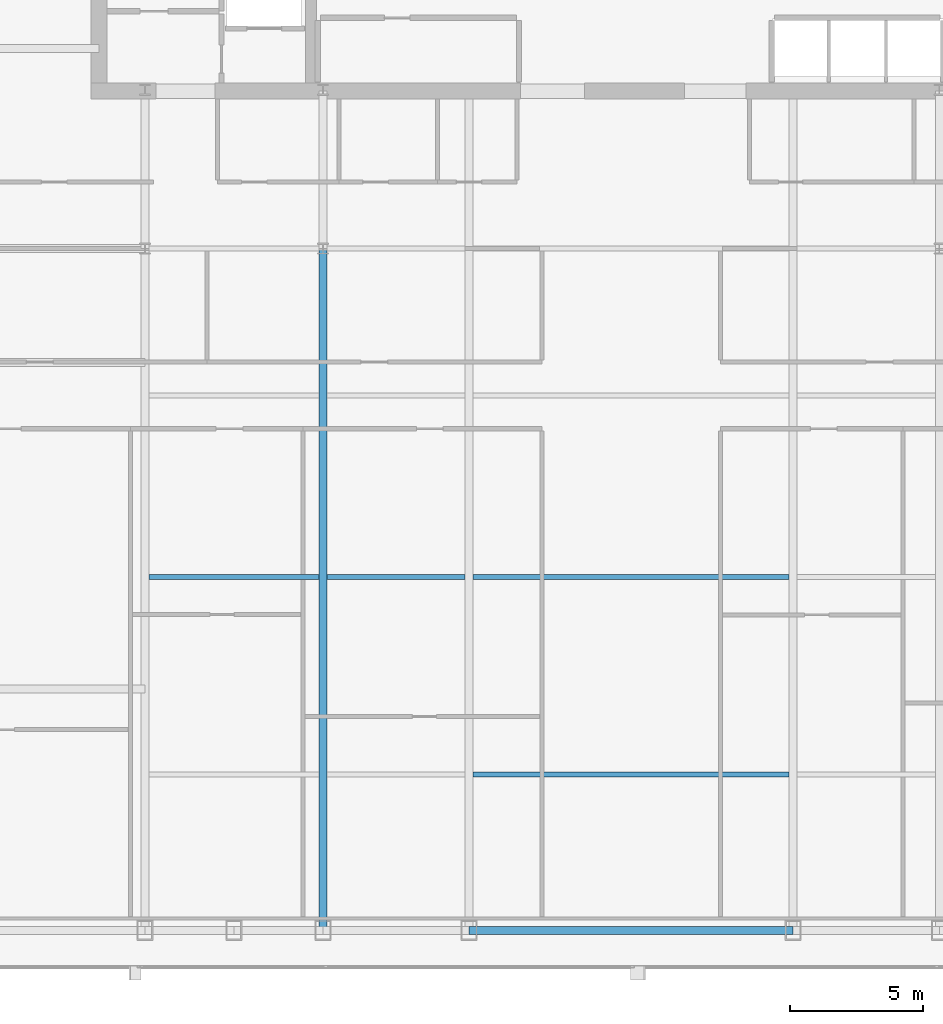
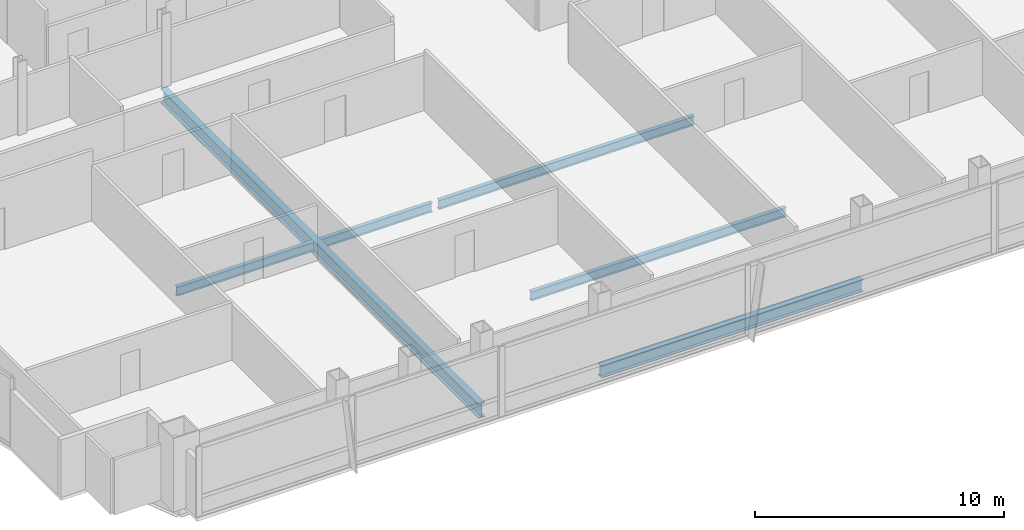
# One storey, part 9 of 30: 6 beams.
"""IFC4 building model written with IfcOpenShell, lengths in metres."""

import ifcopenshell
import ifcopenshell.guid

model = None  # the IFC model being written
_history = None  # IfcOwnerHistory: only IFC2X3 demands one
_inside = {}  # id of a spatial element -> (the spatial element, [elements in it])
_under = {}  # id of a project, library or spatial element -> (it, [spatial elements below it])
_declared = {}  # id of a project -> (the project, [libraries it declares])
_typed = {}  # id of a type object -> (the type object, [elements of that type])
_made_of = {}  # id of a material, layer set ... -> (it, [elements and type objects made of it])


def new_model(schema):
    """Start an empty IFC model of exactly this schema.

    Asked for "IFC4X3", IfcOpenShell would pick the latest addendum, in which some entities
    have other attributes; the version numbers below select the first issue.
    IFC2X3 requires an IfcOwnerHistory on every rooted entity: one is made here for all.
    """
    global model, _history
    if schema == "IFC4X3":
        model = ifcopenshell.file(schema_version=(4, 3, 0, 0))
    else:
        model = ifcopenshell.file(schema=schema)
    _inside.clear()
    _under.clear()
    _declared.clear()
    _typed.clear()
    _made_of.clear()
    _history = None
    if model.schema == "IFC2X3":
        org = make("IfcOrganization", Name="unknown")
        user = make(
            "IfcPersonAndOrganization",
            ThePerson=make("IfcPerson", FamilyName="unknown"),
            TheOrganization=org,
        )
        app = make(
            "IfcApplication",
            ApplicationDeveloper=org,
            Version="unknown",
            ApplicationFullName="unknown",
            ApplicationIdentifier="unknown",
        )
        _history = make(
            "IfcOwnerHistory",
            OwningUser=user,
            OwningApplication=app,
            ChangeAction="ADDED",
            CreationDate=0,
        )
    return model


def make(cls, **values):
    """One entity of the class cls with the attributes given. An attribute that is None is left unset."""
    return model.create_entity(
        cls, **{name: value for name, value in values.items() if value is not None}
    )


def rooted(cls, **values):
    """An entity with a GlobalId (a new one), such as an element, a storey or a relation."""
    return make(cls, GlobalId=ifcopenshell.guid.new(), OwnerHistory=_history, **values)


def si_unit(unit_type, name, prefix=None):
    """IfcSIUnit, for example si_unit("LENGTHUNIT", "METRE", prefix="MILLI")."""
    return make("IfcSIUnit", UnitType=unit_type, Prefix=prefix, Name=name)


def assignment(units):
    """IfcUnitAssignment: the units of a project."""
    return None if units is None else make("IfcUnitAssignment", Units=units)


def point(xyz):
    """IfcCartesianPoint."""
    return None if xyz is None else make("IfcCartesianPoint", Coordinates=xyz)


def direction(xyz):
    """IfcDirection."""
    return None if xyz is None else make("IfcDirection", DirectionRatios=xyz)


def frame(location, z_axis=None, x_axis=None):
    """IfcAxis2Placement3D, a coordinate frame: its origin and axes. An axis left out is left unset."""
    return make(
        "IfcAxis2Placement3D",
        Location=point(location),
        Axis=direction(z_axis),
        RefDirection=direction(x_axis),
    )


def frame_2d(location, x_axis=None):
    """IfcAxis2Placement2D, a coordinate frame in the plane: its origin and x axis."""
    return make(
        "IfcAxis2Placement2D", Location=point(location), RefDirection=direction(x_axis)
    )


def origin():
    """The frame at (0, 0, 0) with its axes left unset."""
    return frame((0.0, 0.0, 0.0))


def origin_2d():
    """The frame at (0, 0) in the plane with its x axis left unset."""
    return frame_2d((0.0, 0.0))


def place(relative_to, where):
    """IfcLocalPlacement: puts the frame where relative to a parent placement (None: the world)."""
    return make(
        "IfcLocalPlacement", PlacementRelTo=relative_to, RelativePlacement=where
    )


def context(
    kind, dimensions, precision=None, world=None, true_north=None, identifier=None
):
    """IfcGeometricRepresentationContext, for example the 3D "Model" context."""
    return make(
        "IfcGeometricRepresentationContext",
        ContextIdentifier=identifier,
        ContextType=kind,
        CoordinateSpaceDimension=dimensions,
        Precision=precision,
        WorldCoordinateSystem=world,
        TrueNorth=true_north,
    )


def subcontext(parent, identifier, kind, view, scale=None):
    """IfcGeometricRepresentationSubContext, for example "Body" below "Model"."""
    return make(
        "IfcGeometricRepresentationSubContext",
        ContextIdentifier=identifier,
        ContextType=kind,
        ParentContext=parent,
        TargetScale=scale,
        TargetView=view,
    )


def project(units=None, contexts=None):
    """IfcProject with its units and contexts."""
    return rooted(
        "IfcProject",
        Name="project",
        RepresentationContexts=contexts,
        UnitsInContext=assignment(units),
    )


def spatial(cls, under=None, at=None, **own):
    """A site, building, storey or space (cls), placed at a placement, below another one or the project."""
    s = rooted(cls, ObjectPlacement=at, **own)
    if under is not None:
        _under.setdefault(under.id(), (under, []))[1].append(s)
    return s


def profile(cls, at=None, kind="AREA", **sizes):
    """A parametric profile (cls). Its sizes go by their IFC names, for example OverallWidth=200.0."""
    return make(cls, ProfileType=kind, Position=at, **sizes)


def i_section(**sizes):
    """IfcIShapeProfileDef."""
    return profile("IfcIShapeProfileDef", **sizes)


def extrude(swept, where, along, depth):
    """IfcExtrudedAreaSolid: the profile swept, set in the frame where, extruded along a direction by depth."""
    return make(
        "IfcExtrudedAreaSolid",
        SweptArea=swept,
        Position=where,
        ExtrudedDirection=direction(along),
        Depth=depth,
    )


def shape(context_of_items, identifier, shape_type, items):
    """IfcShapeRepresentation: the items that make up one representation, for example the "Body"."""
    return make(
        "IfcShapeRepresentation",
        ContextOfItems=context_of_items,
        RepresentationIdentifier=identifier,
        RepresentationType=shape_type,
        Items=items,
    )


def material(Name=None, Category=None):
    """IfcMaterial."""
    return make("IfcMaterial", Name=Name, Category=Category)


def material_profile(
    of_material, cross_section, Name=None, Category=None, Priority=None
):
    """IfcMaterialProfile: a cross section and its material."""
    return make(
        "IfcMaterialProfile",
        Name=Name,
        Material=of_material,
        Profile=cross_section,
        Priority=Priority,
        Category=Category,
    )


def profile_set(profiles, Name=None, composite=None):
    """IfcMaterialProfileSet."""
    return make(
        "IfcMaterialProfileSet",
        Name=Name,
        MaterialProfiles=profiles,
        CompositeProfile=composite,
    )


def made_of(thing, what):
    """Note that an element or type object is made of a material, layer set ...; save() writes the relation."""
    if what is not None:
        _made_of.setdefault(what.id(), (what, []))[1].append(thing)
    return thing


def type_object(cls, material=None, **own):
    """A type object (cls), such as IfcWallType, which elements share."""
    return made_of(rooted(cls, **own), material)


def element(
    cls,
    number,
    at=None,
    inside=None,
    cuts=None,
    type_object=None,
    material=None,
    context=None,
    identifier="Body",
    shape_type=None,
    held_by="IfcProductDefinitionShape",
    body=None,
    shapes=None,
    **own,
):
    """One element of the class cls, such as IfcWall. Its Tag is "e" and its number.

    at: its placement. inside: the storey or other place that contains it. cuts: it is an
    opening in that element (IfcRelVoidsElement). A single representation is given by context,
    identifier, shape_type and body (its items); several are given by shapes. held_by: the class
    of the entity that holds the representations. save() writes the other relations.
    """
    e = rooted(cls, Tag="e%d" % number, ObjectPlacement=at, **own)
    if body is not None:
        shapes = [shape(context, identifier, shape_type, body)]
    if shapes is not None:
        e.Representation = make(held_by, Representations=shapes)
    if inside is not None:
        _inside.setdefault(inside.id(), (inside, []))[1].append(e)
    if cuts is not None:
        rooted(
            "IfcRelVoidsElement", RelatingBuildingElement=cuts, RelatedOpeningElement=e
        )
    if type_object is not None:
        _typed.setdefault(type_object.id(), (type_object, []))[1].append(e)
    return made_of(e, material)


def aggregate(whole, parts):
    """IfcRelAggregates: a whole, such as a stair, and the parts it consists of."""
    return rooted("IfcRelAggregates", RelatingObject=whole, RelatedObjects=parts)


def save(model, path):
    """Write the relations noted so far, then the file.

    IfcRelAggregates (storeys below a building ...), IfcRelContainedInSpatialStructure (elements
    in a storey), IfcRelDefinesByType, IfcRelAssociatesMaterial and IfcRelDeclares: one each for
    every whole, place, type object, material and project.
    """
    for whole, parts in _under.values():
        aggregate(whole, parts)
    for where, things in _inside.values():
        rooted(
            "IfcRelContainedInSpatialStructure",
            RelatedElements=things,
            RelatingStructure=where,
        )
    for kind, things in _typed.values():
        rooted("IfcRelDefinesByType", RelatedObjects=things, RelatingType=kind)
    for what, things in _made_of.values():
        rooted("IfcRelAssociatesMaterial", RelatedObjects=things, RelatingMaterial=what)
    for by, libraries in _declared.values():
        rooted("IfcRelDeclares", RelatingContext=by, RelatedDefinitions=libraries)
    model.write(path)


model = new_model("IFC4")

# Units and contexts
model_context = context("Model", 3, precision=1e-05, world=origin(), true_north=direction((0.0, 1.0)))
body_context = subcontext(model_context, "Body", "Model", "MODEL_VIEW")
ifc_project = project(units=[si_unit("LENGTHUNIT", "METRE"), si_unit("AREAUNIT", "SQUARE_METRE"), si_unit("VOLUMEUNIT", "CUBIC_METRE"), si_unit("PLANEANGLEUNIT", "RADIAN"), si_unit("MASSUNIT", "GRAM", prefix="KILO")], contexts=[model_context])

# Site, building, storey
site_placement = place(None, origin())
site = spatial("IfcSite", under=ifc_project, at=site_placement, CompositionType="ELEMENT")
building_placement = place(site_placement, origin())
building = spatial("IfcBuilding", under=site, at=building_placement, Name="Khoronbel Lancet Exchange", CompositionType="ELEMENT")
storey_placement = place(building_placement, frame((0.0, 0.0, 213.800048828125)))
storey = spatial("IfcBuildingStorey", under=building, at=storey_placement, Name="L54", CompositionType="ELEMENT", Elevation=213.800048828125)

# Beams
ifc_material = material(Name="Steel S355", Category="steel")
ifc_material_profile_1 = material_profile(ifc_material, i_section(OverallWidth=0.300048828125, OverallDepth=0.699951171875, WebThickness=0.01708984375, FlangeThickness=0.031982421875, at=origin_2d()), Name="HEB 700")
ifc_profile_set_1 = profile_set([ifc_material_profile_1], Name="Steel S355")
beam_type_1 = type_object("IfcBeamType", Name="BM-BG3", PredefinedType="BEAM", material=ifc_profile_set_1)
beam_1_placement = place(storey_placement, frame((24.89990234375, 10.14990234375, -0.510009765625), z_axis=(0.0, 1.0, 0.0), x_axis=(-1.0, 0.0, 0.0)))
element("IfcBeam", 1, at=beam_1_placement, inside=storey, type_object=beam_type_1, Name="Level L54 south primary girder GS2", PredefinedType="BEAM", context=body_context, shape_type="SweptSolid", body=[
    extrude(i_section(OverallWidth=0.300048828125, OverallDepth=0.699951171875, WebThickness=0.01708984375, FlangeThickness=0.031982421875, at=origin_2d()), origin(), (0.0, 0.0, 1.0), 25.550048828125),
])
ifc_material_profile_2 = material_profile(ifc_material, i_section(OverallWidth=0.18994140625, OverallDepth=0.449951171875, WebThickness=0.009521484375, FlangeThickness=0.0146484375, at=origin_2d()), Name="IPE 450")
ifc_profile_set_2 = profile_set([ifc_material_profile_2], Name="Steel S355")
beam_type_2 = type_object("IfcBeamType", Name="BM-BJ4", PredefinedType="JOIST", material=ifc_profile_set_2)
beam_2_placement = place(storey_placement, frame((30.52490234375, 16.0, -0.385009765625), z_axis=(1.0, 0.0, 0.0), x_axis=(0.0, 1.0, 0.0)))
element("IfcBeam", 2, at=beam_2_placement, inside=storey, type_object=beam_type_2, Name="Level L54 secondary composite joist J03", PredefinedType="JOIST", context=body_context, shape_type="SweptSolid", body=[
    extrude(i_section(OverallWidth=0.18994140625, OverallDepth=0.449951171875, WebThickness=0.009521484375, FlangeThickness=0.0146484375, at=origin_2d()), origin(), (0.0, 0.0, 1.0), 11.85009765625),
])
beam_3_placement = place(storey_placement, frame((18.375, 23.39990234375, -0.385009765625), z_axis=(1.0, 0.0, 0.0), x_axis=(0.0, 1.0, 0.0)))
element("IfcBeam", 3, at=beam_3_placement, inside=storey, type_object=beam_type_2, Name="Level L54 secondary composite joist J06", PredefinedType="JOIST", context=body_context, shape_type="SweptSolid", body=[
    extrude(i_section(OverallWidth=0.18994140625, OverallDepth=0.449951171875, WebThickness=0.009521484375, FlangeThickness=0.0146484375, at=origin_2d()), origin(), (0.0, 0.0, 1.0), 6.375),
])
beam_4_placement = place(storey_placement, frame((25.050048828125, 23.39990234375, -0.385009765625), z_axis=(1.0, 0.0, 0.0), x_axis=(0.0, 1.0, 0.0)))
element("IfcBeam", 4, at=beam_4_placement, inside=storey, type_object=beam_type_2, Name="Level L54 secondary composite joist J07", PredefinedType="JOIST", context=body_context, shape_type="SweptSolid", body=[
    extrude(i_section(OverallWidth=0.18994140625, OverallDepth=0.449951171875, WebThickness=0.009521484375, FlangeThickness=0.0146484375, at=origin_2d()), origin(), (0.0, 0.0, 1.0), 5.175048828125),
])
beam_5_placement = place(storey_placement, frame((30.52490234375, 23.39990234375, -0.385009765625), z_axis=(1.0, 0.0, 0.0), x_axis=(0.0, 1.0, 0.0)))
element("IfcBeam", 5, at=beam_5_placement, inside=storey, type_object=beam_type_2, Name="Level L54 secondary composite joist J08", PredefinedType="JOIST", context=body_context, shape_type="SweptSolid", body=[
    extrude(i_section(OverallWidth=0.18994140625, OverallDepth=0.449951171875, WebThickness=0.009521484375, FlangeThickness=0.0146484375, at=origin_2d()), origin(), (0.0, 0.0, 1.0), 11.85009765625),
])
ifc_material_profile_3 = material_profile(ifc_material, i_section(OverallWidth=0.300048828125, OverallDepth=0.60009765625, WebThickness=0.015380859375, FlangeThickness=0.030029296875, at=origin_2d()), Name="HEB 600")
ifc_profile_set_3 = profile_set([ifc_material_profile_3], Name="Steel S355")
beam_type_3 = type_object("IfcBeamType", Name="BM-BSP2", PredefinedType="SPANDREL", material=ifc_profile_set_3)
beam_6_placement = place(storey_placement, frame((30.375, 10.14990234375, -0.4599609375), z_axis=(1.0, 0.0, 0.0), x_axis=(0.0, 1.0, 0.0)))
element("IfcBeam", 6, at=beam_6_placement, inside=storey, type_object=beam_type_3, Name="Level L54 perimeter spandrel beam SP05", PredefinedType="SPANDREL", context=body_context, shape_type="SweptSolid", body=[
    extrude(i_section(OverallWidth=0.300048828125, OverallDepth=0.60009765625, WebThickness=0.015380859375, FlangeThickness=0.030029296875, at=origin_2d()), origin(), (0.0, 0.0, 1.0), 12.14990234375),
])

save(model, "model.ifc")
